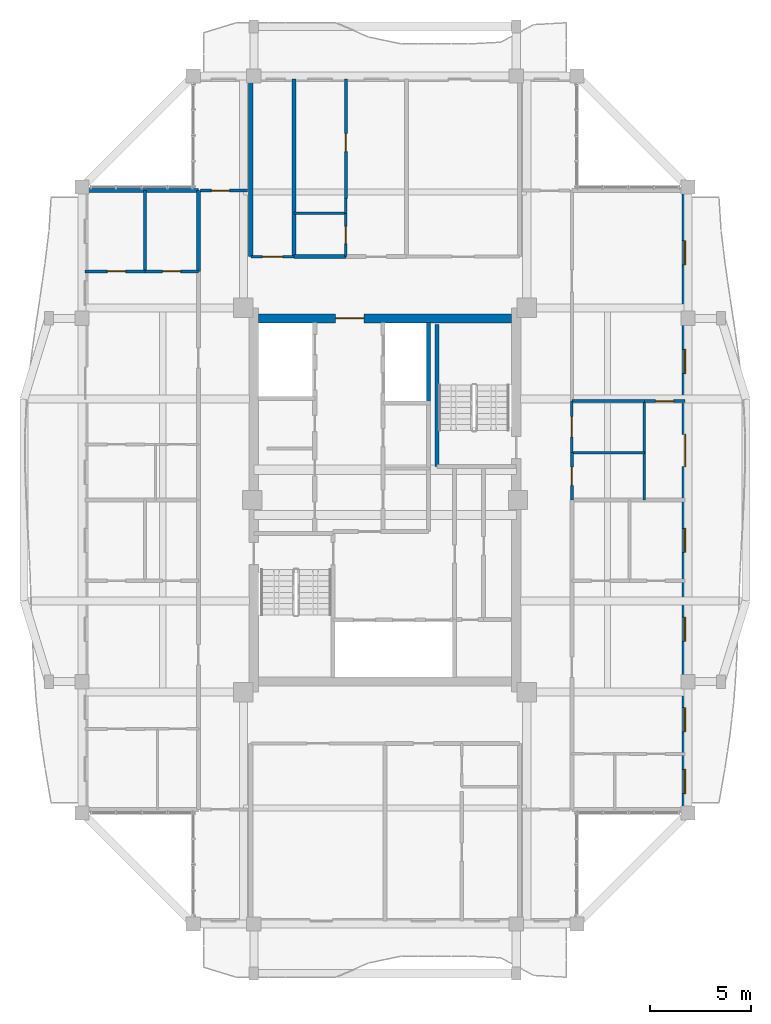
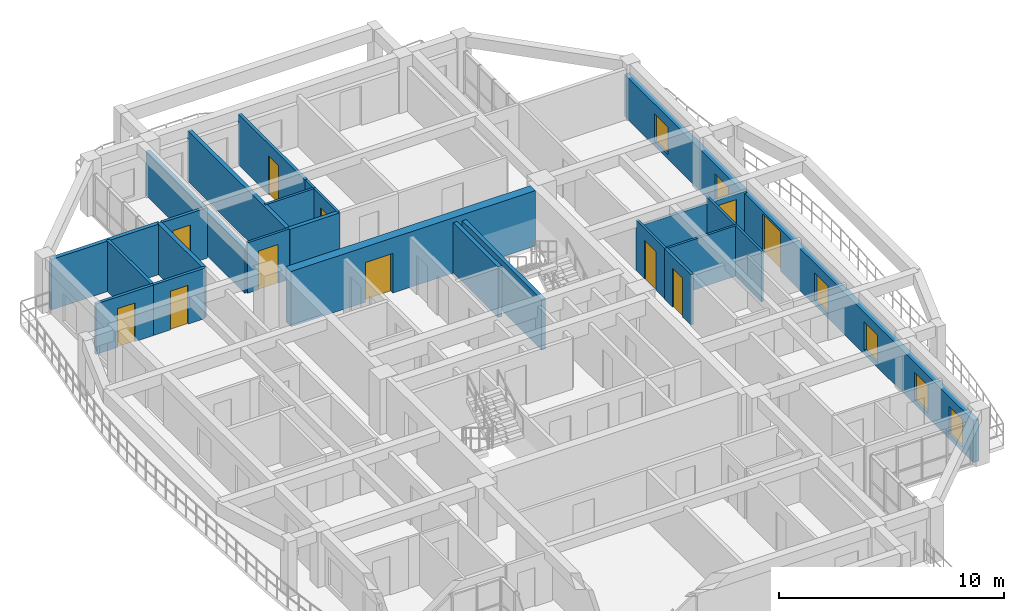
# One storey, part 17 of 24: 24 walls, 11 doors, 6 windows, 17 openings.
"""IFC4 building model written with IfcOpenShell, lengths in metres."""

from ifc_helpers import new_model, si_unit, direction, frame, frame_2d, origin, place, context, subcontext, project, spatial, rectangle, extrude, source, transform, mapped, material, layer, layer_set, type_object, element, fill, save


model = new_model("IFC4")

# Units and contexts
model_context = context("Model", 3, precision=1e-05, world=origin(), true_north=direction((0.0, 1.0)))
body_context = subcontext(model_context, "Body", "Model", "MODEL_VIEW")
ifc_project = project(units=[si_unit("LENGTHUNIT", "METRE"), si_unit("AREAUNIT", "SQUARE_METRE"), si_unit("VOLUMEUNIT", "CUBIC_METRE"), si_unit("PLANEANGLEUNIT", "RADIAN"), si_unit("MASSUNIT", "GRAM", prefix="KILO")], contexts=[model_context])

# Site, building, storey
site_placement = place(None, origin())
site = spatial("IfcSite", under=ifc_project, at=site_placement, CompositionType="ELEMENT")
building_placement = place(site_placement, origin())
building = spatial("IfcBuilding", under=site, at=building_placement, Name="Saelheon Loggia Tower", CompositionType="ELEMENT")
storey_placement = place(building_placement, frame((0.0, 0.0, 246.0)))
storey = spatial("IfcBuildingStorey", under=building, at=storey_placement, Name="L76", CompositionType="ELEMENT", Elevation=246.0)

# Wall, opening, door
ifc_material_1 = material(Name="Concrete C45/55", Category="concrete")
ifc_layer_1 = layer(ifc_material_1, 0.449951171875)
ifc_layer_set_1 = layer_set([ifc_layer_1], Name="Concrete C45/55")
wall_type_1 = type_object("IfcWallType", Name="Wall_CoreShear_450", PredefinedType="SHEAR", material=ifc_layer_set_1)
wall_1_placement = place(storey_placement, frame((31.72509765625, 36.0, 0.0), z_axis=(0.0, 0.0, 1.0), x_axis=(1.0, 0.0, 0.0)))
wall_1 = element("IfcWall", 1, at=wall_1_placement, inside=storey, type_object=wall_type_1, Name="L76 Core Shear Wall North", PredefinedType="SHEAR", context=body_context, shape_type="SweptSolid", body=[
    extrude(rectangle(XDim=12.5498046875, YDim=0.449951171875, at=frame_2d((6.27490234375, 0.0))), origin(), (0.0, 0.0, 1.0), 3.0),
])
opening_1_placement = place(wall_1_placement, frame((5.224853515625, 0.0, 0.0), z_axis=(0.0, 0.0, 1.0), x_axis=(-1.0, 0.0, 0.0)))
opening_1 = element("IfcOpeningElement", 2, at=opening_1_placement, cuts=wall_1, Name="Opening D-FD2L", PredefinedType="OPENING", context=body_context, shape_type="SweptSolid", body=[
    extrude(rectangle(XDim=1.39990234375, YDim=2.14990234375, at=frame_2d((0.699951171875, 1.074951171875))), frame((0.0, 0.237060546875, 0.0), z_axis=(0.0, -1.0, 0.0), x_axis=(1.0, 0.0, 0.0)), (0.0, 0.0, 1.0), 0.473876953125),
])
ifc_material_2 = material(Name="Galvanised Steel Glazed Lobby Fire Door", Category="steel")
door_type_1 = type_object("IfcDoorType", Name="Door_Fire_FD60_1400", OperationType="NOTDEFINED", PredefinedType="DOOR", material=ifc_material_2)
shared_shape_1 = source(origin(), body_context, "Body", "SweptSolid", [
    extrude(rectangle(XDim=1.39990234375, YDim=2.14990234375, at=frame_2d((0.699951171875, 1.074951171875))), frame((0.0, 0.02490234375, 0.0), z_axis=(0.0, -1.0, 0.0), x_axis=(1.0, 0.0, 0.0)), (0.0, 0.0, 1.0), 0.050048828125),
])
door_1_placement = place(opening_1_placement, origin())
door_1 = element("IfcDoor", 3, at=door_1_placement, inside=storey, type_object=door_type_1, Name="L76 Passenger Lift Lobby Main Door", OperationType="SINGLE_SWING_RIGHT", OverallHeight=2.14990234375, OverallWidth=1.39990234375, PredefinedType="DOOR", context=body_context, shape_type="MappedRepresentation", body=[
    mapped(shared_shape_1, transform((0.0, 0.0, 0.0), scale=1.0)),
])
fill(opening_1, door_1)

# Wall, openings, windows, door
ifc_material_3 = material(Name="Architectural Precast Concrete C40/50", Category="concrete")
ifc_layer_2 = layer(ifc_material_3, 0.280029296875)
ifc_layer_set_2 = layer_set([ifc_layer_2], Name="Architectural Precast Concrete C40/50")
wall_type_2 = type_object("IfcWallType", Name="Wall_Ext_Loggia_280", PredefinedType="SOLIDWALL", material=ifc_layer_set_2)
wall_2_placement = place(storey_placement, frame((52.860107421875, 11.5, 0.0), z_axis=(0.0, 0.0, 1.0), x_axis=(0.0, 1.0, 0.0)))
wall_2 = element("IfcWall", 4, at=wall_2_placement, inside=storey, type_object=wall_type_2, Name="L76 East Loggia Inner Wall", PredefinedType="SOLIDWALL", context=body_context, shape_type="SweptSolid", body=[
    extrude(rectangle(XDim=31.0, YDim=0.280029296875, at=frame_2d((15.5, 0.0))), origin(), (0.0, 0.0, 1.0), 2.280029296875),
])
opening_2_placement = place(wall_2_placement, frame((0.9599609375, 0.0, 0.25)))
opening_2 = element("IfcOpeningElement", 5, at=opening_2_placement, cuts=wall_2, Name="Opening WN-03", PredefinedType="OPENING", context=body_context, shape_type="SweptSolid", body=[
    extrude(rectangle(XDim=1.199951171875, YDim=1.5, at=frame_2d((0.60009765625, 0.75))), frame((0.0, 0.152099609375, 0.0), z_axis=(0.0, -1.0, 0.0), x_axis=(1.0, 0.0, 0.0)), (0.0, 0.0, 1.0), 0.303955078125),
])
opening_3_placement = place(wall_2_placement, frame((4.02001953125, 0.0, 0.25)))
opening_3 = element("IfcOpeningElement", 6, at=opening_3_placement, cuts=wall_2, Name="Opening WN-03", PredefinedType="OPENING", context=body_context, shape_type="SweptSolid", body=[
    extrude(rectangle(XDim=1.199951171875, YDim=1.5, at=frame_2d((0.60009765625, 0.75))), frame((0.0, 0.152099609375, 0.0), z_axis=(0.0, -1.0, 0.0), x_axis=(1.0, 0.0, 0.0)), (0.0, 0.0, 1.0), 0.303955078125),
])
opening_4_placement = place(wall_2_placement, frame((8.4951171875, 0.0, 0.25)))
opening_4 = element("IfcOpeningElement", 7, at=opening_4_placement, cuts=wall_2, Name="Opening WN-03", PredefinedType="OPENING", context=body_context, shape_type="SweptSolid", body=[
    extrude(rectangle(XDim=1.199951171875, YDim=1.5, at=frame_2d((0.60009765625, 0.75))), frame((0.0, 0.152099609375, 0.0), z_axis=(0.0, -1.0, 0.0), x_axis=(1.0, 0.0, 0.0)), (0.0, 0.0, 1.0), 0.303955078125),
])
opening_5_placement = place(wall_2_placement, frame((12.89990234375, 0.0, 0.25)))
opening_5 = element("IfcOpeningElement", 8, at=opening_5_placement, cuts=wall_2, Name="Opening WN-03", PredefinedType="OPENING", context=body_context, shape_type="SweptSolid", body=[
    extrude(rectangle(XDim=1.199951171875, YDim=1.5, at=frame_2d((0.60009765625, 0.75))), frame((0.0, 0.152099609375, 0.0), z_axis=(0.0, -1.0, 0.0), x_axis=(1.0, 0.0, 0.0)), (0.0, 0.0, 1.0), 0.303955078125),
])
opening_6_placement = place(wall_2_placement, frame((18.75, 0.0, 0.0), z_axis=(0.0, 0.0, 1.0), x_axis=(-1.0, 0.0, 0.0)))
opening_6 = element("IfcOpeningElement", 9, at=opening_6_placement, cuts=wall_2, Name="Opening DLG-1", PredefinedType="OPENING", context=body_context, shape_type="SweptSolid", body=[
    extrude(rectangle(XDim=1.60009765625, YDim=2.14990234375, at=frame_2d((0.800048828125, 1.074951171875))), frame((0.0, 0.152099609375, 0.0), z_axis=(0.0, -1.0, 0.0), x_axis=(1.0, 0.0, 0.0)), (0.0, 0.0, 1.0), 0.303955078125),
])
opening_7_placement = place(wall_2_placement, frame((21.7548828125, 0.0, 0.25)))
opening_7 = element("IfcOpeningElement", 10, at=opening_7_placement, cuts=wall_2, Name="Opening WN-03", PredefinedType="OPENING", context=body_context, shape_type="SweptSolid", body=[
    extrude(rectangle(XDim=1.199951171875, YDim=1.5, at=frame_2d((0.60009765625, 0.75))), frame((0.0, 0.152099609375, 0.0), z_axis=(0.0, -1.0, 0.0), x_axis=(1.0, 0.0, 0.0)), (0.0, 0.0, 1.0), 0.303955078125),
])
opening_8_placement = place(wall_2_placement, frame((27.14990234375, 0.0, 0.25)))
opening_8 = element("IfcOpeningElement", 11, at=opening_8_placement, cuts=wall_2, Name="Opening WN-03", PredefinedType="OPENING", context=body_context, shape_type="SweptSolid", body=[
    extrude(rectangle(XDim=1.199951171875, YDim=1.5, at=frame_2d((0.60009765625, 0.75))), frame((0.0, 0.152099609375, 0.0), z_axis=(0.0, -1.0, 0.0), x_axis=(1.0, 0.0, 0.0)), (0.0, 0.0, 1.0), 0.303955078125),
])
ifc_material_4 = material(Name="Thermal-Break Aluminium and Triple Low-E Glass", Category="aluminium")
window_type = type_object("IfcWindowType", Name="Win_Bedroom_1200x1500", PartitioningType="SINGLE_PANEL", PredefinedType="WINDOW", material=ifc_material_4)
shared_shape_2 = source(origin(), body_context, "Body", "SweptSolid", [
    extrude(rectangle(XDim=1.199951171875, YDim=1.5, at=frame_2d((0.60009765625, 0.75))), frame((0.0, 0.030029296875, 0.0), z_axis=(0.0, -1.0, 0.0), x_axis=(1.0, 0.0, 0.0)), (0.0, 0.0, 1.0), 0.06005859375),
])
window_1_placement = place(opening_2_placement, origin())
window_1 = element("IfcWindow", 12, at=window_1_placement, inside=storey, type_object=window_type, Name="L76 E Dwelling Window 1", OverallHeight=1.5, OverallWidth=1.199951171875, PartitioningType="SINGLE_PANEL", PredefinedType="WINDOW", context=body_context, shape_type="MappedRepresentation", body=[
    mapped(shared_shape_2, transform((0.0, 0.0, 0.0), scale=1.0)),
])
fill(opening_2, window_1)
window_2_placement = place(opening_3_placement, origin())
window_2 = element("IfcWindow", 13, at=window_2_placement, inside=storey, type_object=window_type, Name="L76 E Dwelling Window 2", OverallHeight=1.5, OverallWidth=1.199951171875, PartitioningType="SINGLE_PANEL", PredefinedType="WINDOW", context=body_context, shape_type="MappedRepresentation", body=[
    mapped(shared_shape_2, transform((0.0, 0.0, 0.0), scale=1.0)),
])
fill(opening_3, window_2)
window_3_placement = place(opening_4_placement, origin())
window_3 = element("IfcWindow", 14, at=window_3_placement, inside=storey, type_object=window_type, Name="L76 E Dwelling Window 3", OverallHeight=1.5, OverallWidth=1.199951171875, PartitioningType="SINGLE_PANEL", PredefinedType="WINDOW", context=body_context, shape_type="MappedRepresentation", body=[
    mapped(shared_shape_2, transform((0.0, 0.0, 0.0), scale=1.0)),
])
fill(opening_4, window_3)
window_4_placement = place(opening_5_placement, origin())
window_4 = element("IfcWindow", 15, at=window_4_placement, inside=storey, type_object=window_type, Name="L76 E Dwelling Window 4", OverallHeight=1.5, OverallWidth=1.199951171875, PartitioningType="SINGLE_PANEL", PredefinedType="WINDOW", context=body_context, shape_type="MappedRepresentation", body=[
    mapped(shared_shape_2, transform((0.0, 0.0, 0.0), scale=1.0)),
])
fill(opening_5, window_4)
window_5_placement = place(opening_7_placement, origin())
window_5 = element("IfcWindow", 16, at=window_5_placement, inside=storey, type_object=window_type, Name="L76 E Dwelling Window 6", OverallHeight=1.5, OverallWidth=1.199951171875, PartitioningType="SINGLE_PANEL", PredefinedType="WINDOW", context=body_context, shape_type="MappedRepresentation", body=[
    mapped(shared_shape_2, transform((0.0, 0.0, 0.0), scale=1.0)),
])
fill(opening_7, window_5)
window_6_placement = place(opening_8_placement, origin())
window_6 = element("IfcWindow", 17, at=window_6_placement, inside=storey, type_object=window_type, Name="L76 E Dwelling Window 7", OverallHeight=1.5, OverallWidth=1.199951171875, PartitioningType="SINGLE_PANEL", PredefinedType="WINDOW", context=body_context, shape_type="MappedRepresentation", body=[
    mapped(shared_shape_2, transform((0.0, 0.0, 0.0), scale=1.0)),
])
fill(opening_8, window_6)
ifc_material_5 = material(Name="Thermal-Break Aluminium Sliding Glazed Door", Category="aluminium")
door_type_2 = type_object("IfcDoorType", Name="Door_LoggiaSlide_1600", OperationType="SLIDING_TO_LEFT", PredefinedType="DOOR", material=ifc_material_5)
shared_shape_3 = source(origin(), body_context, "Body", "SweptSolid", [
    extrude(rectangle(XDim=1.60009765625, YDim=2.14990234375, at=frame_2d((0.800048828125, 1.074951171875))), frame((0.0, 0.02490234375, 0.0), z_axis=(0.0, -1.0, 0.0), x_axis=(1.0, 0.0, 0.0)), (0.0, 0.0, 1.0), 0.050048828125),
])
door_2_placement = place(opening_6_placement, origin())
door_2 = element("IfcDoor", 18, at=door_2_placement, inside=storey, type_object=door_type_2, Name="L76 E Loggia Access Door", OperationType="SLIDING_TO_LEFT", OverallHeight=2.14990234375, OverallWidth=1.60009765625, PredefinedType="DOOR", context=body_context, shape_type="MappedRepresentation", body=[
    mapped(shared_shape_3, transform((0.0, 0.0, 0.0), scale=1.0)),
])
fill(opening_6, door_2)

# Wall, opening, door
ifc_material_6 = material(Name="Lightweight Autoclaved Aerated Concrete Block and Acoustic Gypsum", Category="concrete")
ifc_layer_3 = layer(ifc_material_6, 0.14990234375)
ifc_layer_set_3 = layer_set([ifc_layer_3], Name="Lightweight Autoclaved Aerated Concrete Block and Acoustic Gypsum")
wall_type_3 = type_object("IfcWallType", Name="Wall_Part_150", PredefinedType="PARTITIONING", material=ifc_layer_set_3)
wall_3_placement = place(storey_placement, frame((28.85009765625, 42.320068359375, 0.0), z_axis=(0.0, 0.0, 1.0), x_axis=(1.0, 0.0, 0.0)))
wall_3 = element("IfcWall", 19, at=wall_3_placement, inside=storey, type_object=wall_type_3, Name="PW-L76-CNW-H", PredefinedType="PARTITIONING", context=body_context, shape_type="SweptSolid", body=[
    extrude(rectangle(XDim=2.329833984375, YDim=0.14990234375, at=frame_2d((1.1650390625, 0.0))), origin(), (0.0, 0.0, 1.0), 2.739990234375),
])
opening_9_placement = place(wall_3_placement, frame((0.550048828125, 0.0, 0.0)))
opening_9 = element("IfcOpeningElement", 20, at=opening_9_placement, cuts=wall_3, Name="Opening D-IN2", PredefinedType="OPENING", context=body_context, shape_type="SweptSolid", body=[
    extrude(rectangle(XDim=0.89990234375, YDim=2.10009765625, at=frame_2d((0.449951171875, 1.050048828125))), frame((0.0, 0.0869140625, 0.0), z_axis=(0.0, -1.0, 0.0), x_axis=(1.0, 0.0, 0.0)), (0.0, 0.0, 1.0), 0.173828125),
])
ifc_material_7 = material(Name="Engineered Oak Flush Door", Category="timber")
door_type_3 = type_object("IfcDoorType", Name="Door_Int_900", OperationType="NOTDEFINED", PredefinedType="DOOR", material=ifc_material_7)
shared_shape_4 = source(origin(), body_context, "Body", "SweptSolid", [
    extrude(rectangle(XDim=0.89990234375, YDim=2.10009765625, at=frame_2d((0.449951171875, 1.050048828125))), frame((0.0, 0.02490234375, 0.0), z_axis=(0.0, -1.0, 0.0), x_axis=(1.0, 0.0, 0.0)), (0.0, 0.0, 1.0), 0.050048828125),
])
door_3_placement = place(opening_9_placement, origin())
door_3 = element("IfcDoor", 21, at=door_3_placement, inside=storey, type_object=door_type_3, Name="L76 Corner Home Office NW Door", OperationType="SINGLE_SWING_RIGHT", OverallHeight=2.10009765625, OverallWidth=0.89990234375, PredefinedType="DOOR", context=body_context, shape_type="MappedRepresentation", body=[
    mapped(shared_shape_4, transform((0.0, 0.0, 0.0), scale=1.0)),
])
fill(opening_9, door_3)

wall_4_placement = place(storey_placement, frame((36.064453125, 41.929931640625, 0.0), z_axis=(0.0, 0.0, 1.0), x_axis=(0.0, 1.0, 0.0)))
wall_4 = element("IfcWall", 22, at=wall_4_placement, inside=storey, type_object=wall_type_3, Name="L76 N Partition U10", PredefinedType="PARTITIONING", context=body_context, shape_type="SweptSolid", body=[
    extrude(rectangle(XDim=5.920166015625, YDim=0.14990234375, at=frame_2d((2.9599609375, 0.0))), origin(), (0.0, 0.0, 1.0), 2.739990234375),
])
opening_10_placement = place(wall_4_placement, frame((2.32080078125, 0.0, 0.0)))
opening_10 = element("IfcOpeningElement", 23, at=opening_10_placement, cuts=wall_4, Name="Opening D-IN2", PredefinedType="OPENING", context=body_context, shape_type="SweptSolid", body=[
    extrude(rectangle(XDim=0.89990234375, YDim=2.10009765625, at=frame_2d((0.449951171875, 1.050048828125))), frame((0.0, 0.0869140625, 0.0), z_axis=(0.0, -1.0, 0.0), x_axis=(1.0, 0.0, 0.0)), (0.0, 0.0, 1.0), 0.173828125),
])
door_4_placement = place(opening_10_placement, origin())
door_4 = element("IfcDoor", 24, at=door_4_placement, inside=storey, type_object=door_type_3, Name="Unit U02 Kitchen Door", OperationType="SINGLE_SWING_RIGHT", OverallHeight=2.10009765625, OverallWidth=0.89990234375, PredefinedType="DOOR", context=body_context, shape_type="MappedRepresentation", body=[
    mapped(shared_shape_4, transform((0.0, 0.0, 0.0), scale=1.0)),
])
fill(opening_10, door_4)

# Wall
wall_5_placement = place(storey_placement, frame((26.110107421875, 38.320068359375, 0.0), z_axis=(0.0, 0.0, 1.0), x_axis=(0.0, 1.0, 0.0)))
element("IfcWall", 25, at=wall_5_placement, inside=storey, type_object=wall_type_3, Name="L76 W Partition V18", PredefinedType="PARTITIONING", context=body_context, shape_type="SweptSolid", body=[
    extrude(rectangle(XDim=4.0, YDim=0.14990234375, at=frame_2d((2.0, 0.0))), origin(), (0.0, 0.0, 1.0), 2.739990234375),
])

# Wall, opening, door
wall_6_placement = place(storey_placement, frame((28.75, 38.320068359375, 0.0), z_axis=(0.0, 0.0, 1.0), x_axis=(-1.0, 0.0, 0.0)))
wall_6 = element("IfcWall", 26, at=wall_6_placement, inside=storey, type_object=wall_type_3, Name="L76 W Partition U22", PredefinedType="PARTITIONING", context=body_context, shape_type="SweptSolid", body=[
    extrude(rectangle(XDim=2.639892578125, YDim=0.14990234375, at=frame_2d((1.31982421875, 0.0))), origin(), (0.0, 0.0, 1.0), 2.739990234375),
])
opening_11_placement = place(wall_6_placement, frame((0.8701171875, 0.0, 0.0)))
opening_11 = element("IfcOpeningElement", 27, at=opening_11_placement, cuts=wall_6, Name="Opening D-IN2", PredefinedType="OPENING", context=body_context, shape_type="SweptSolid", body=[
    extrude(rectangle(XDim=0.89990234375, YDim=2.10009765625, at=frame_2d((0.449951171875, 1.050048828125))), frame((0.0, 0.0869140625, 0.0), z_axis=(0.0, -1.0, 0.0), x_axis=(1.0, 0.0, 0.0)), (0.0, 0.0, 1.0), 0.173828125),
])
door_5_placement = place(opening_11_placement, origin())
door_5 = element("IfcDoor", 28, at=door_5_placement, inside=storey, type_object=door_type_3, Name="Unit U04 Dressing Closet Door", OperationType="SINGLE_SWING_RIGHT", OverallHeight=2.10009765625, OverallWidth=0.89990234375, PredefinedType="DOOR", context=body_context, shape_type="MappedRepresentation", body=[
    mapped(shared_shape_4, transform((0.0, 0.0, 0.0), scale=1.0)),
])
fill(opening_11, door_5)

wall_7_placement = place(storey_placement, frame((26.110107421875, 38.320068359375, 0.0), z_axis=(0.0, 0.0, 1.0), x_axis=(-1.0, 0.0, 0.0)))
wall_7 = element("IfcWall", 29, at=wall_7_placement, inside=storey, type_object=wall_type_3, Name="L76 W Partition U23", PredefinedType="PARTITIONING", context=body_context, shape_type="SweptSolid", body=[
    extrude(rectangle(XDim=2.960205078125, YDim=0.14990234375, at=frame_2d((1.47998046875, 0.0))), origin(), (0.0, 0.0, 1.0), 2.739990234375),
])
opening_12_placement = place(wall_7_placement, frame((0.964111328125, 0.0, 0.0)))
opening_12 = element("IfcOpeningElement", 30, at=opening_12_placement, cuts=wall_7, Name="Opening D-IN2", PredefinedType="OPENING", context=body_context, shape_type="SweptSolid", body=[
    extrude(rectangle(XDim=0.89990234375, YDim=2.10009765625, at=frame_2d((0.449951171875, 1.050048828125))), frame((0.0, 0.0869140625, 0.0), z_axis=(0.0, -1.0, 0.0), x_axis=(1.0, 0.0, 0.0)), (0.0, 0.0, 1.0), 0.173828125),
])
door_6_placement = place(opening_12_placement, origin())
door_6 = element("IfcDoor", 31, at=door_6_placement, inside=storey, type_object=door_type_3, Name="Unit U04 Bedroom 1 Door", OperationType="SINGLE_SWING_LEFT", OverallHeight=2.10009765625, OverallWidth=0.89990234375, PredefinedType="DOOR", context=body_context, shape_type="MappedRepresentation", body=[
    mapped(shared_shape_4, transform((0.0, 0.0, 0.0), scale=1.0)),
])
fill(opening_12, door_6)

# Wall
wall_8_placement = place(storey_placement, frame((47.25, 31.89990234375, 0.0), z_axis=(0.0, 0.0, 1.0), x_axis=(1.0, 0.0, 0.0)))
element("IfcWall", 32, at=wall_8_placement, inside=storey, type_object=wall_type_3, Name="L76 E Partition U15", PredefinedType="PARTITIONING", context=body_context, shape_type="SweptSolid", body=[
    extrude(rectangle(XDim=3.60009765625, YDim=0.14990234375, at=frame_2d((1.800048828125, 0.0))), origin(), (0.0, 0.0, 1.0), 2.389892578125),
])

# Wall, opening, door
wall_9_placement = place(storey_placement, frame((50.85009765625, 31.89990234375, 0.0), z_axis=(0.0, 0.0, 1.0), x_axis=(1.0, 0.0, 0.0)))
wall_9 = element("IfcWall", 33, at=wall_9_placement, inside=storey, type_object=wall_type_3, Name="L76 E Partition U16", PredefinedType="PARTITIONING", context=body_context, shape_type="SweptSolid", body=[
    extrude(rectangle(XDim=2.0, YDim=0.14990234375, at=frame_2d((1.0, 0.0))), origin(), (0.0, 0.0, 1.0), 2.389892578125),
])
opening_13_placement = place(wall_9_placement, frame((0.550048828125, 0.0, 0.0)))
opening_13 = element("IfcOpeningElement", 34, at=opening_13_placement, cuts=wall_9, Name="Opening D-IN2", PredefinedType="OPENING", context=body_context, shape_type="SweptSolid", body=[
    extrude(rectangle(XDim=0.89990234375, YDim=2.10009765625, at=frame_2d((0.449951171875, 1.050048828125))), frame((0.0, 0.0869140625, 0.0), z_axis=(0.0, -1.0, 0.0), x_axis=(1.0, 0.0, 0.0)), (0.0, 0.0, 1.0), 0.173828125),
])
door_7_placement = place(opening_13_placement, origin())
door_7 = element("IfcDoor", 35, at=door_7_placement, inside=storey, type_object=door_type_3, Name="L76 Reading Alcove Door", OperationType="SINGLE_SWING_LEFT", OverallHeight=2.10009765625, OverallWidth=0.89990234375, PredefinedType="DOOR", context=body_context, shape_type="MappedRepresentation", body=[
    mapped(shared_shape_4, transform((0.0, 0.0, 0.0), scale=1.0)),
])
fill(opening_13, door_7)

wall_10_placement = place(storey_placement, frame((47.25, 27.0, 0.0), z_axis=(0.0, 0.0, 1.0), x_axis=(0.0, 1.0, 0.0)))
wall_10 = element("IfcWall", 36, at=wall_10_placement, inside=storey, type_object=wall_type_3, Name="L76 E Partition V18", PredefinedType="PARTITIONING", context=body_context, shape_type="SweptSolid", body=[
    extrude(rectangle(XDim=2.35009765625, YDim=0.14990234375, at=frame_2d((1.175048828125, 0.0))), origin(), (0.0, 0.0, 1.0), 2.739990234375),
])
opening_14_placement = place(wall_10_placement, frame((0.72509765625, 0.0, 0.0)))
opening_14 = element("IfcOpeningElement", 37, at=opening_14_placement, cuts=wall_10, Name="Opening D-IN2", PredefinedType="OPENING", context=body_context, shape_type="SweptSolid", body=[
    extrude(rectangle(XDim=0.89990234375, YDim=2.10009765625, at=frame_2d((0.449951171875, 1.050048828125))), frame((0.0, 0.0869140625, 0.0), z_axis=(0.0, -1.0, 0.0), x_axis=(1.0, 0.0, 0.0)), (0.0, 0.0, 1.0), 0.173828125),
])
door_8_placement = place(opening_14_placement, origin())
door_8 = element("IfcDoor", 38, at=door_8_placement, inside=storey, type_object=door_type_3, Name="L76 Community Pantry Door", OperationType="SINGLE_SWING_RIGHT", OverallHeight=2.10009765625, OverallWidth=0.89990234375, PredefinedType="DOOR", context=body_context, shape_type="MappedRepresentation", body=[
    mapped(shared_shape_4, transform((0.0, 0.0, 0.0), scale=1.0)),
])
fill(opening_14, door_8)

# Walls
ifc_material_8 = material(Name="Double Acoustic Stud and Fireboard Partition", Category="gypsum")
ifc_layer_4 = layer(ifc_material_8, 0.199951171875)
ifc_layer_set_4 = layer_set([ifc_layer_4], Name="Double Acoustic Stud and Fireboard Partition")
wall_type_4 = type_object("IfcWallType", Name="Wall_Party_200", PredefinedType="PARTITIONING", material=ifc_layer_set_4)
wall_11_placement = place(storey_placement, frame((31.35009765625, 39.050048828125, 0.0), z_axis=(0.0, 0.0, 1.0), x_axis=(0.0, 1.0, 0.0)))
element("IfcWall", 39, at=wall_11_placement, inside=storey, type_object=wall_type_4, Name="L76 N Partition U01", PredefinedType="PARTITIONING", context=body_context, shape_type="SweptSolid", body=[
    extrude(rectangle(XDim=8.800048828125, YDim=0.199951171875, at=frame_2d((4.39990234375, 0.0))), origin(), (0.0, 0.0, 1.0), 2.389892578125),
])
wall_12_placement = place(storey_placement, frame((33.5, 39.050048828125, 0.0), z_axis=(0.0, 0.0, 1.0), x_axis=(0.0, 1.0, 0.0)))
element("IfcWall", 40, at=wall_12_placement, inside=storey, type_object=wall_type_4, Name="L76 N Partition U03", PredefinedType="PARTITIONING", context=body_context, shape_type="SweptSolid", body=[
    extrude(rectangle(XDim=8.800048828125, YDim=0.199951171875, at=frame_2d((4.39990234375, 0.0))), origin(), (0.0, 0.0, 1.0), 2.739990234375),
])
wall_13_placement = place(storey_placement, frame((33.5, 39.050048828125, 0.0), z_axis=(0.0, 0.0, 1.0), x_axis=(1.0, 0.0, 0.0)))
element("IfcWall", 41, at=wall_13_placement, inside=storey, type_object=wall_type_4, Name="L76 N Partition V05", PredefinedType="PARTITIONING", context=body_context, shape_type="SweptSolid", body=[
    extrude(rectangle(XDim=2.564453125, YDim=0.199951171875, at=frame_2d((1.2822265625, 0.0))), origin(), (0.0, 0.0, 1.0), 2.739990234375),
])
wall_14_placement = place(storey_placement, frame((28.75, 42.320068359375, 0.0), z_axis=(0.0, 0.0, 1.0), x_axis=(-1.0, 0.0, 0.0)))
element("IfcWall", 42, at=wall_14_placement, inside=storey, type_object=wall_type_4, Name="L76 W Partition U02", PredefinedType="PARTITIONING", context=body_context, shape_type="SweptSolid", body=[
    extrude(rectangle(XDim=5.60009765625, YDim=0.199951171875, at=frame_2d((2.800048828125, 0.0))), origin(), (0.0, 0.0, 1.0), 2.739990234375),
])
wall_15_placement = place(storey_placement, frame((28.75, 38.320068359375, 0.0), z_axis=(0.0, 0.0, 1.0), x_axis=(0.0, 1.0, 0.0)))
element("IfcWall", 43, at=wall_15_placement, inside=storey, type_object=wall_type_4, Name="L76 W Partition V16", PredefinedType="PARTITIONING", context=body_context, shape_type="SweptSolid", body=[
    extrude(rectangle(XDim=4.0, YDim=0.199951171875, at=frame_2d((2.0, 0.0))), origin(), (0.0, 0.0, 1.0), 2.739990234375),
])
ifc_material_9 = material(Name="Concrete C40/50", Category="concrete")
ifc_layer_5 = layer(ifc_material_9, 0.199951171875)
ifc_layer_set_5 = layer_set([ifc_layer_5], Name="Concrete C40/50")
wall_type_5 = type_object("IfcWallType", Name="Wall_Shaft_200", PredefinedType="PARTITIONING", material=ifc_layer_set_5)
wall_16_placement = place(storey_placement, frame((40.14990234375, 31.800048828125, 0.0), z_axis=(0.0, 0.0, 1.0), x_axis=(0.0, 1.0, 0.0)))
element("IfcWall", 44, at=wall_16_placement, inside=storey, type_object=wall_type_5, Name="L76 East High-Rise Hoistway East Wall", PredefinedType="PARTITIONING", context=body_context, shape_type="SweptSolid", body=[
    extrude(rectangle(XDim=3.97998046875, YDim=0.199951171875, at=frame_2d((1.989990234375, 0.0))), origin(), (0.0, 0.0, 1.0), 2.739990234375),
])
ifc_layer_6 = layer(ifc_material_1, 0.199951171875)
ifc_layer_set_6 = layer_set([ifc_layer_6], Name="Concrete C45/55")
wall_type_6 = type_object("IfcWallType", Name="Wall_StairShaft_RC200", PredefinedType="SOLIDWALL", material=ifc_layer_set_6)
wall_17_placement = place(storey_placement, frame((40.570068359375, 28.64990234375, 0.0), z_axis=(0.0, 0.0, 1.0), x_axis=(0.0, 1.0, 0.0)))
element("IfcWall", 45, at=wall_17_placement, inside=storey, type_object=wall_type_6, Name="L76 Stair ST2 Shaft Wall", PredefinedType="SOLIDWALL", context=body_context, shape_type="SweptSolid", body=[
    extrude(rectangle(XDim=7.050048828125, YDim=0.199951171875, at=frame_2d((3.52490234375, 0.0))), origin(), (0.0, 0.0, 1.0), 2.739990234375),
])

# Wall, opening, door
ifc_material_10 = material(Name="Moisture-Resistant Cement Board Partition", Category="gypsum")
ifc_layer_7 = layer(ifc_material_10, 0.1201171875)
ifc_layer_set_7 = layer_set([ifc_layer_7], Name="Moisture-Resistant Cement Board Partition")
wall_type_7 = type_object("IfcWallType", Name="Wall_WetPart_120", PredefinedType="PARTITIONING", material=ifc_layer_set_7)
wall_18_placement = place(storey_placement, frame((31.35009765625, 39.050048828125, 0.0), z_axis=(0.0, 0.0, 1.0), x_axis=(1.0, 0.0, 0.0)))
wall_18 = element("IfcWall", 46, at=wall_18_placement, inside=storey, type_object=wall_type_7, Name="L76 N Partition V04", PredefinedType="PARTITIONING", context=body_context, shape_type="SweptSolid", body=[
    extrude(rectangle(XDim=2.14990234375, YDim=0.1201171875, at=frame_2d((1.074951171875, 0.0))), origin(), (0.0, 0.0, 1.0), 2.739990234375),
])
opening_15_placement = place(wall_18_placement, frame((0.574951171875, 0.0, 0.0)))
opening_15 = element("IfcOpeningElement", 47, at=opening_15_placement, cuts=wall_18, Name="Opening D-AC1", PredefinedType="OPENING", context=body_context, shape_type="SweptSolid", body=[
    extrude(rectangle(XDim=1.0, YDim=2.10009765625, at=frame_2d((0.5, 1.050048828125))), frame((0.0, 0.072021484375, 0.0), z_axis=(0.0, -1.0, 0.0), x_axis=(1.0, 0.0, 0.0)), (0.0, 0.0, 1.0), 0.14404296875),
])
ifc_material_11 = material(Name="Accessible Laminate Flush Door", Category="timber")
door_type_4 = type_object("IfcDoorType", Name="Door_Acc_1000", OperationType="NOTDEFINED", PredefinedType="DOOR", material=ifc_material_11)
shared_shape_5 = source(origin(), body_context, "Body", "SweptSolid", [
    extrude(rectangle(XDim=1.0, YDim=2.10009765625, at=frame_2d((0.5, 1.050048828125))), frame((0.0, 0.02490234375, 0.0), z_axis=(0.0, -1.0, 0.0), x_axis=(1.0, 0.0, 0.0)), (0.0, 0.0, 1.0), 0.050048828125),
])
door_9_placement = place(opening_15_placement, origin())
door_9 = element("IfcDoor", 48, at=door_9_placement, inside=storey, type_object=door_type_4, Name="L76 Floor Accessible WC Door", OperationType="SINGLE_SWING_LEFT", OverallHeight=2.10009765625, OverallWidth=1.0, PredefinedType="DOOR", context=body_context, shape_type="MappedRepresentation", body=[
    mapped(shared_shape_5, transform((0.0, 0.0, 0.0), scale=1.0)),
])
fill(opening_15, door_9)

wall_19_placement = place(storey_placement, frame((36.064453125, 39.050048828125, 0.0), z_axis=(0.0, 0.0, 1.0), x_axis=(0.0, 1.0, 0.0)))
wall_19 = element("IfcWall", 49, at=wall_19_placement, inside=storey, type_object=wall_type_7, Name="L76 N Partition U07", PredefinedType="PARTITIONING", context=body_context, shape_type="SweptSolid", body=[
    extrude(rectangle(XDim=2.14990234375, YDim=0.1201171875, at=frame_2d((1.074951171875, 0.0))), origin(), (0.0, 0.0, 1.0), 2.739990234375),
])
opening_16_placement = place(wall_19_placement, frame((0.64990234375, 0.0, 0.0)))
opening_16 = element("IfcOpeningElement", 50, at=opening_16_placement, cuts=wall_19, Name="Opening D-BT1", PredefinedType="OPENING", context=body_context, shape_type="SweptSolid", body=[
    extrude(rectangle(XDim=0.85009765625, YDim=2.050048828125, at=frame_2d((0.425048828125, 1.02490234375))), frame((0.0, 0.072021484375, 0.0), z_axis=(0.0, -1.0, 0.0), x_axis=(1.0, 0.0, 0.0)), (0.0, 0.0, 1.0), 0.14404296875),
])
ifc_material_12 = material(Name="Moisture-Resistant Laminate Timber Door", Category="wood")
door_type_5 = type_object("IfcDoorType", Name="Door_Bath_850", OperationType="NOTDEFINED", PredefinedType="DOOR", material=ifc_material_12)
shared_shape_6 = source(origin(), body_context, "Body", "SweptSolid", [
    extrude(rectangle(XDim=0.85009765625, YDim=2.050048828125, at=frame_2d((0.425048828125, 1.02490234375))), frame((0.0, 0.02490234375, 0.0), z_axis=(0.0, -1.0, 0.0), x_axis=(1.0, 0.0, 0.0)), (0.0, 0.0, 1.0), 0.050048828125),
])
door_10_placement = place(opening_16_placement, origin())
door_10 = element("IfcDoor", 51, at=door_10_placement, inside=storey, type_object=door_type_5, Name="Unit U02 Bathroom Door", OperationType="SINGLE_SWING_LEFT", OverallHeight=2.050048828125, OverallWidth=0.85009765625, PredefinedType="DOOR", context=body_context, shape_type="MappedRepresentation", body=[
    mapped(shared_shape_6, transform((0.0, 0.0, 0.0), scale=1.0)),
])
fill(opening_16, door_10)

# Walls
wall_20_placement = place(storey_placement, frame((36.064453125, 41.199951171875, 0.0), z_axis=(0.0, 0.0, 1.0), x_axis=(0.0, 1.0, 0.0)))
element("IfcWall", 52, at=wall_20_placement, inside=storey, type_object=wall_type_7, Name="L76 N Partition U08", PredefinedType="PARTITIONING", context=body_context, shape_type="SweptSolid", body=[
    extrude(rectangle(XDim=0.72998046875, YDim=0.1201171875, at=frame_2d((0.364990234375, 0.0))), origin(), (0.0, 0.0, 1.0), 2.739990234375),
])
wall_21_placement = place(storey_placement, frame((33.5, 41.199951171875, 0.0), z_axis=(0.0, 0.0, 1.0), x_axis=(1.0, 0.0, 0.0)))
element("IfcWall", 53, at=wall_21_placement, inside=storey, type_object=wall_type_7, Name="L76 N Partition V09", PredefinedType="PARTITIONING", context=body_context, shape_type="SweptSolid", body=[
    extrude(rectangle(XDim=2.564453125, YDim=0.1201171875, at=frame_2d((1.2822265625, 0.0))), origin(), (0.0, 0.0, 1.0), 2.739990234375),
])
wall_22_placement = place(storey_placement, frame((47.25, 29.35009765625, 0.0), z_axis=(0.0, 0.0, 1.0), x_axis=(1.0, 0.0, 0.0)))
element("IfcWall", 54, at=wall_22_placement, inside=storey, type_object=wall_type_7, Name="L76 E Partition U14", PredefinedType="PARTITIONING", context=body_context, shape_type="SweptSolid", body=[
    extrude(rectangle(XDim=3.60009765625, YDim=0.1201171875, at=frame_2d((1.800048828125, 0.0))), origin(), (0.0, 0.0, 1.0), 2.739990234375),
])
wall_23_placement = place(storey_placement, frame((50.85009765625, 27.0, 0.0), z_axis=(0.0, 0.0, 1.0), x_axis=(0.0, 1.0, 0.0)))
element("IfcWall", 55, at=wall_23_placement, inside=storey, type_object=wall_type_7, Name="L76 E Partition V17", PredefinedType="PARTITIONING", context=body_context, shape_type="SweptSolid", body=[
    extrude(rectangle(XDim=4.89990234375, YDim=0.1201171875, at=frame_2d((2.449951171875, 0.0))), origin(), (0.0, 0.0, 1.0), 2.739990234375),
])

# Wall, opening, door
wall_24_placement = place(storey_placement, frame((47.25, 29.35009765625, 0.0), z_axis=(0.0, 0.0, 1.0), x_axis=(0.0, 1.0, 0.0)))
wall_24 = element("IfcWall", 56, at=wall_24_placement, inside=storey, type_object=wall_type_7, Name="L76 E Partition V19", PredefinedType="PARTITIONING", context=body_context, shape_type="SweptSolid", body=[
    extrude(rectangle(XDim=2.5498046875, YDim=0.1201171875, at=frame_2d((1.27490234375, 0.0))), origin(), (0.0, 0.0, 1.0), 2.739990234375),
])
opening_17_placement = place(wall_24_placement, frame((0.77490234375, 0.0, 0.0)))
opening_17 = element("IfcOpeningElement", 57, at=opening_17_placement, cuts=wall_24, Name="Opening D-AC1", PredefinedType="OPENING", context=body_context, shape_type="SweptSolid", body=[
    extrude(rectangle(XDim=1.0, YDim=2.10009765625, at=frame_2d((0.5, 1.050048828125))), frame((0.0, 0.072021484375, 0.0), z_axis=(0.0, -1.0, 0.0), x_axis=(1.0, 0.0, 0.0)), (0.0, 0.0, 1.0), 0.14404296875),
])
door_11_placement = place(opening_17_placement, origin())
door_11 = element("IfcDoor", 58, at=door_11_placement, inside=storey, type_object=door_type_4, Name="L76 Common Washroom Door", OperationType="SINGLE_SWING_LEFT", OverallHeight=2.10009765625, OverallWidth=1.0, PredefinedType="DOOR", context=body_context, shape_type="MappedRepresentation", body=[
    mapped(shared_shape_5, transform((0.0, 0.0, 0.0), scale=1.0)),
])
fill(opening_17, door_11)

save(model, "model.ifc")
